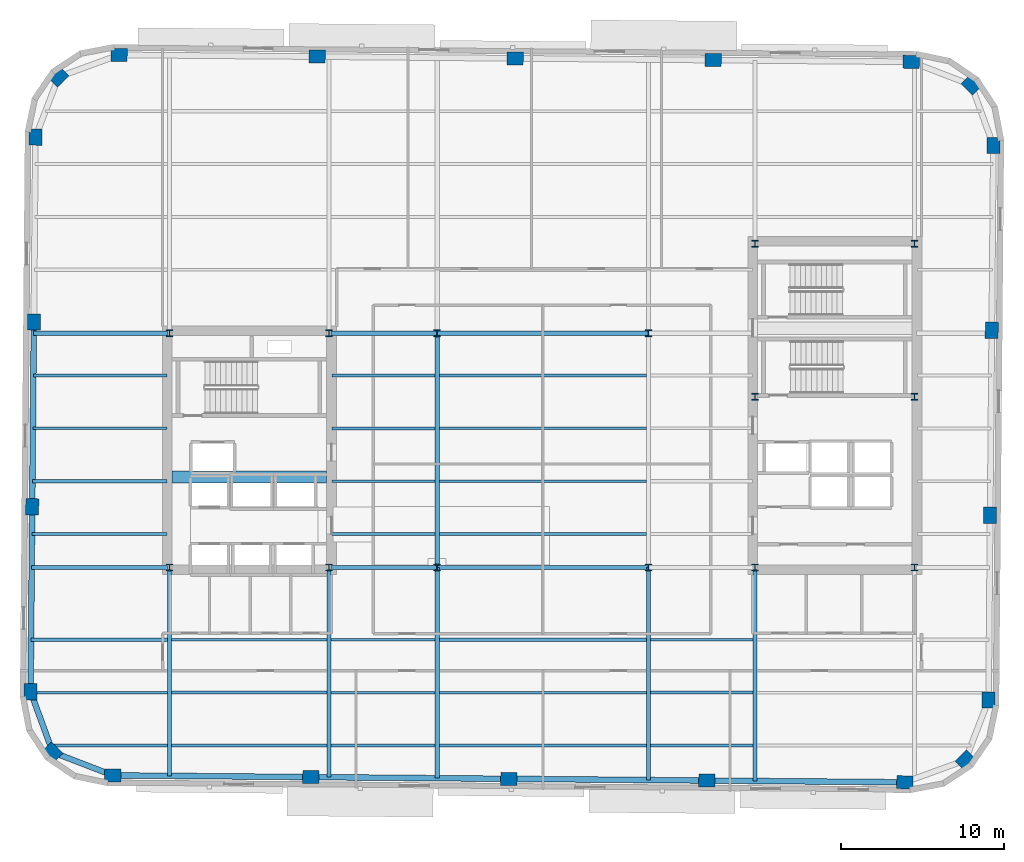
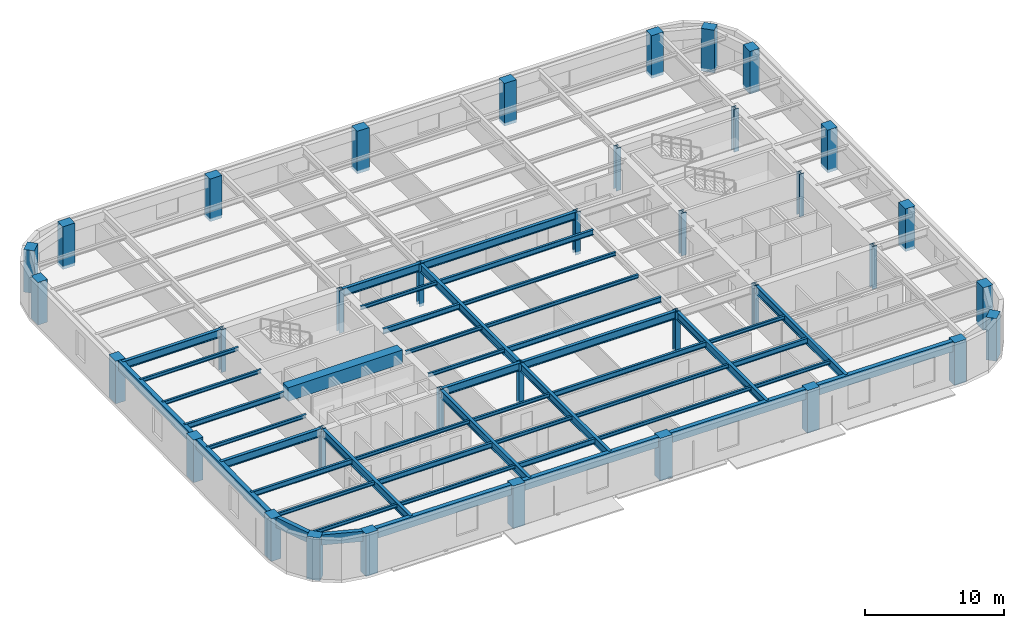
# One storey, part 1 of 11: 48 beams, 36 columns.
"""IFC4 building model written with IfcOpenShell, lengths in metres."""

from ifc_helpers import new_model, si_unit, direction, frame, origin, origin_2d, place, context, subcontext, project, spatial, rectangle, hollow_rectangle, i_section, extrude, material, material_profile, profile_set, type_object, element, save


model = new_model("IFC4")

# Units and contexts
model_context = context("Model", 3, precision=1e-05, world=origin(), true_north=direction((0.0, 1.0)))
body_context = subcontext(model_context, "Body", "Model", "MODEL_VIEW")
ifc_project = project(units=[si_unit("LENGTHUNIT", "METRE"), si_unit("AREAUNIT", "SQUARE_METRE"), si_unit("VOLUMEUNIT", "CUBIC_METRE"), si_unit("PLANEANGLEUNIT", "RADIAN"), si_unit("MASSUNIT", "GRAM", prefix="KILO")], contexts=[model_context])

# Site, building, storey
site_placement = place(None, origin())
site = spatial("IfcSite", under=ifc_project, at=site_placement, CompositionType="ELEMENT")
building_placement = place(site_placement, origin())
building = spatial("IfcBuilding", under=site, at=building_placement, Name="Kolvaren Arena Tower", CompositionType="ELEMENT")
storey_placement = place(building_placement, frame((0.0, 0.0, 203.449951171875)))
storey = spatial("IfcBuildingStorey", under=building, at=storey_placement, Name="L49", CompositionType="ELEMENT", Elevation=203.449951171875)

# Columns
ifc_material_1 = material(Name="Precast concrete C60/75", Category="concrete")
ifc_material_profile_1 = material_profile(ifc_material_1, rectangle(XDim=1.0, YDim=0.800048828125, at=origin_2d()), Name="RC-1000x800")
ifc_profile_set_1 = profile_set([ifc_material_profile_1], Name="Precast concrete C60/75")
column_type_1 = type_object("IfcColumnType", Name="EXCOL-Z3", PredefinedType="COLUMN", material=ifc_profile_set_1)
for number, where, z_axis, x_axis, name in (
    (1, (11.0576171875, 6.663330078125, -0.27001953125), (0.0, 0.0, 1.0), (0.999961923064, -0.008726535498, 0.0), "Exoskeleton Perimeter Column 01 (L49)"),
    (2, (23.232177734375, 6.55712890625, -0.27001953125), (0.0, 0.0, 1.0), (0.999961923064, -0.008726535498, 0.0), "Exoskeleton Perimeter Column 02 (L49)"),
    (3, (35.40673828125, 6.45068359375, -0.27001953125), (0.0, 0.0, 1.0), (0.999961923064, -0.008726535498, 0.0), "Exoskeleton Perimeter Column 03 (L49)"),
    (4, (47.581298828125, 6.344482421875, -0.27001953125), (0.0, 0.0, 1.0), (0.999961923064, -0.008726535498, 0.0), "Exoskeleton Perimeter Column 04 (L49)"),
    (5, (59.755859375, 6.23828125, -0.27001953125), (0.0, 0.0, 1.0), (0.999961923064, -0.008726535498, 0.0), "Exoskeleton Perimeter Column 05 (L49)"),
    (6, (63.4765625, 7.59716796875, -0.27001953125), (0.0, 0.0, 1.0), (0.713250449154, 0.7009092643, 0.0), "Exoskeleton Perimeter Column 06 (L49)"),
    (7, (64.900146484375, 11.293701171875, -0.27001953125), (0.0, 0.0, 1.0), (0.008726535498, 0.999961923064, 0.0), "Exoskeleton Perimeter Column 07 (L49)"),
    (8, (64.999267578125, 22.659912109375, -0.27001953125), (0.0, 0.0, 1.0), (0.008726535498, 0.999961923064, 0.0), "Exoskeleton Perimeter Column 08 (L49)"),
    (9, (65.098388671875, 34.026123046875, -0.27001953125), (0.0, 0.0, 1.0), (0.008726535498, 0.999961923064, 0.0), "Exoskeleton Perimeter Column 09 (L49)"),
    (10, (65.19775390625, 45.392333984375, -0.27001953125), (0.0, 0.0, 1.0), (0.008726535498, 0.999961923064, 0.0), "Exoskeleton Perimeter Column 10 (L49)"),
    (11, (63.8388671875, 49.113037109375, -0.27001953125), (0.0, 0.0, 1.0), (-0.7009092643, 0.713250449154, 0.0), "Exoskeleton Perimeter Column 11 (L49)"),
    (12, (60.142333984375, 50.53662109375, -0.27001953125), (0.0, 0.0, 1.0), (0.999961923064, -0.008726535498, 0.0), "Exoskeleton Perimeter Column 12 (L49)"),
    (13, (47.9677734375, 50.642822265625, -0.27001953125), (0.0, 0.0, 1.0), (0.999961923064, -0.008726535498, 0.0), "Exoskeleton Perimeter Column 13 (L49)"),
    (14, (35.793212890625, 50.749267578125, -0.27001953125), (0.0, 0.0, 1.0), (0.999961923064, -0.008726535498, 0.0), "Exoskeleton Perimeter Column 14 (L49)"),
    (15, (23.618896484375, 50.85546875, -0.27001953125), (0.0, 0.0, 1.0), (0.999961923064, -0.008726535498, 0.0), "Exoskeleton Perimeter Column 15 (L49)"),
    (16, (11.444091796875, 50.961669921875, -0.27001953125), (0.0, 0.0, 1.0), (0.999961923064, -0.008726535498, 0.0), "Exoskeleton Perimeter Column 16 (L49)"),
    (17, (7.723388671875, 49.602783203125, -0.27001953125), (0.0, 0.0, 1.0), (0.713250449154, 0.7009092643, 0.0), "Exoskeleton Perimeter Column 17 (L49)"),
    (18, (6.2998046875, 45.90625, -0.27001953125), (0.0, 0.0, 1.0), (0.008726535498, 0.999961923064, 0.0), "Exoskeleton Perimeter Column 18 (L49)"),
    (19, (6.20068359375, 34.5400390625, -0.27001953125), (0.0, 0.0, 1.0), (0.008726535498, 0.999961923064, 0.0), "Exoskeleton Perimeter Column 19 (L49)"),
    (20, (6.1015625, 23.173828125, -0.27001953125), (0.0, 0.0, 1.0), (0.008726535498, 0.999961923064, 0.0), "Exoskeleton Perimeter Column 20 (L49)"),
    (21, (6.002197265625, 11.8076171875, -0.27001953125), (0.0, 0.0, 1.0), (0.008726535498, 0.999961923064, 0.0), "Exoskeleton Perimeter Column 21 (L49)"),
    (22, (7.361083984375, 8.0869140625, -0.27001953125), (0.0, 0.0, 1.0), (-0.7009092643, 0.713250449154, 0.0), "Exoskeleton Perimeter Column 22 (L49)"),
):
    element("IfcColumn", number, at=place(storey_placement, frame(where, z_axis=z_axis, x_axis=x_axis)), inside=storey, type_object=column_type_1, Name=name, PredefinedType="COLUMN", context=body_context, shape_type="SweptSolid", body=[
        extrude(rectangle(XDim=1.0, YDim=0.800048828125, at=origin_2d()), origin(), (0.0, 0.0, 1.0), 3.75),
    ])
ifc_material_2 = material(Name="Steel ASTM A913 Grade 65", Category="steel")
ifc_material_profile_2 = material_profile(ifc_material_2, i_section(OverallWidth=0.406005859375, OverallDepth=0.416015625, WebThickness=0.02978515625, FlangeThickness=0.048095703125, FilletRadius=0.02001953125, at=origin_2d()), Name="W360x382")
ifc_profile_set_2 = profile_set([ifc_material_profile_2], Name="Steel ASTM A913 Grade 65")
column_type_2 = type_object("IfcColumnType", Name="SCOL-Z3", PredefinedType="COLUMN", material=ifc_profile_set_2)
for number, where, z_axis, x_axis, name in (
    (23, (14.550048828125, 19.449951171875, -0.27001953125), (0.0, 0.0, 1.0), (1.0, 0.0, 0.0), "Core Boundary Column WC-SW (L49)"),
    (24, (24.35009765625, 19.449951171875, -0.27001953125), (0.0, 0.0, 1.0), (1.0, 0.0, 0.0), "Core Boundary Column WC-SE (L49)"),
    (25, (14.550048828125, 33.85009765625, -0.27001953125), (0.0, 0.0, 1.0), (1.0, 0.0, 0.0), "Core Boundary Column WC-NW (L49)"),
    (26, (24.35009765625, 33.85009765625, -0.27001953125), (0.0, 0.0, 1.0), (1.0, 0.0, 0.0), "Core Boundary Column WC-NE (L49)"),
    (27, (50.550048828125, 19.449951171875, -0.27001953125), (0.0, 0.0, 1.0), (1.0, 0.0, 0.0), "Core Boundary Column EC-SW (L49)"),
    (28, (60.35009765625, 19.449951171875, -0.27001953125), (0.0, 0.0, 1.0), (1.0, 0.0, 0.0), "Core Boundary Column EC-SE (L49)"),
    (29, (50.550048828125, 29.949951171875, -0.27001953125), (0.0, 0.0, 1.0), (1.0, 0.0, 0.0), "Core Boundary Column EC-MW (L49)"),
    (30, (60.35009765625, 29.949951171875, -0.27001953125), (0.0, 0.0, 1.0), (1.0, 0.0, 0.0), "Core Boundary Column EC-ME (L49)"),
    (31, (50.550048828125, 39.35009765625, -0.27001953125), (0.0, 0.0, 1.0), (1.0, 0.0, 0.0), "Core Boundary Column EC-NW (L49)"),
    (32, (60.35009765625, 39.35009765625, -0.27001953125), (0.0, 0.0, 1.0), (1.0, 0.0, 0.0), "Core Boundary Column EC-NE (L49)"),
    (33, (31.0, 19.449951171875, -0.27001953125), (0.0, 0.0, 1.0), (1.0, 0.0, 0.0), "Interior Gravity Column TC-SW (L49)"),
    (34, (44.0, 19.449951171875, -0.27001953125), (0.0, 0.0, 1.0), (1.0, 0.0, 0.0), "Interior Gravity Column TC-SE (L49)"),
    (35, (31.0, 33.85009765625, -0.27001953125), (0.0, 0.0, 1.0), (1.0, 0.0, 0.0), "Interior Gravity Column TC-NW (L49)"),
    (36, (44.0, 33.85009765625, -0.27001953125), (0.0, 0.0, 1.0), (1.0, 0.0, 0.0), "Interior Gravity Column TC-NE (L49)"),
):
    element("IfcColumn", number, at=place(storey_placement, frame(where, z_axis=z_axis, x_axis=x_axis)), inside=storey, type_object=column_type_2, Name=name, PredefinedType="COLUMN", context=body_context, shape_type="SweptSolid", body=[
        extrude(i_section(OverallWidth=0.406005859375, OverallDepth=0.416015625, WebThickness=0.02978515625, FlangeThickness=0.048095703125, FilletRadius=0.02001953125, at=origin_2d()), origin(), (0.0, 0.0, 1.0), 3.75),
    ])

# Beams
ifc_material_3 = material(Name="Steel CSA G40.21 350W", Category="steel")
ifc_material_profile_3 = material_profile(ifc_material_3, i_section(OverallWidth=0.193115234375, OverallDepth=0.462890625, WebThickness=0.0107421875, FlangeThickness=0.0205078125, FilletRadius=0.012939453125, at=origin_2d()), Name="W460x113")
ifc_profile_set_3 = profile_set([ifc_material_profile_3], Name="Steel CSA G40.21 350W")
beam_type_1 = type_object("IfcBeamType", Name="BEAM-F2", PredefinedType="BEAM", material=ifc_profile_set_3)
beam_1_placement = place(storey_placement, frame((24.4775390625, 8.5, 3.24853515625), z_axis=(1.0, 0.0, 0.0), x_axis=(0.0, 1.0, 0.0)))
element("IfcBeam", 37, at=beam_1_placement, inside=storey, type_object=beam_type_1, Name="Composite Floor Beam (L49)", PredefinedType="BEAM", context=body_context, shape_type="SweptSolid", body=[
    extrude(i_section(OverallWidth=0.193115234375, OverallDepth=0.462890625, WebThickness=0.0107421875, FlangeThickness=0.0205078125, FilletRadius=0.012939453125, at=origin_2d()), origin(), (0.0, 0.0, 1.0), 6.39501953125),
])
beam_2_placement = place(storey_placement, frame((14.677490234375, 11.75, 3.24853515625), z_axis=(1.0, 0.0, 0.0), x_axis=(0.0, 1.0, 0.0)))
element("IfcBeam", 38, at=beam_2_placement, inside=storey, type_object=beam_type_1, Name="Composite Floor Beam (L49)", PredefinedType="BEAM", context=body_context, shape_type="SweptSolid", body=[
    extrude(i_section(OverallWidth=0.193115234375, OverallDepth=0.462890625, WebThickness=0.0107421875, FlangeThickness=0.0205078125, FilletRadius=0.012939453125, at=origin_2d()), origin(), (0.0, 0.0, 1.0), 9.544921875),
])
beam_3_placement = place(storey_placement, frame((44.12744140625, 11.75, 3.24853515625), z_axis=(1.0, 0.0, 0.0), x_axis=(0.0, 1.0, 0.0)))
element("IfcBeam", 39, at=beam_3_placement, inside=storey, type_object=beam_type_1, Name="Composite Floor Beam (L49)", PredefinedType="BEAM", context=body_context, shape_type="SweptSolid", body=[
    extrude(i_section(OverallWidth=0.193115234375, OverallDepth=0.462890625, WebThickness=0.0107421875, FlangeThickness=0.0205078125, FilletRadius=0.012939453125, at=origin_2d()), origin(), (0.0, 0.0, 1.0), 6.295166015625),
])
beam_4_placement = place(storey_placement, frame((6.0302734375, 15.0, 3.24853515625), z_axis=(1.0, 0.0, 0.0), x_axis=(0.0, 1.0, 0.0)))
element("IfcBeam", 40, at=beam_4_placement, inside=storey, type_object=beam_type_1, Name="Composite Floor Beam (L49)", PredefinedType="BEAM", context=body_context, shape_type="SweptSolid", body=[
    extrude(i_section(OverallWidth=0.193115234375, OverallDepth=0.462890625, WebThickness=0.0107421875, FlangeThickness=0.0205078125, FilletRadius=0.012939453125, at=origin_2d()), origin(), (0.0, 0.0, 1.0), 8.392333984375),
])
for number, where, z_axis, x_axis, name in (
    (41, (31.12744140625, 15.0, 3.24853515625), (1.0, 0.0, 0.0), (0.0, 1.0, 0.0), "Composite Floor Beam (L49)"),
    (42, (31.12744140625, 21.5, 3.24853515625), (1.0, 0.0, 0.0), (0.0, 1.0, 0.0), "Composite Floor Beam (L49)"),
):
    element("IfcBeam", number, at=place(storey_placement, frame(where, z_axis=z_axis, x_axis=x_axis)), inside=storey, type_object=beam_type_1, Name=name, PredefinedType="BEAM", context=body_context, shape_type="SweptSolid", body=[
        extrude(i_section(OverallWidth=0.193115234375, OverallDepth=0.462890625, WebThickness=0.0107421875, FlangeThickness=0.0205078125, FilletRadius=0.012939453125, at=origin_2d()), origin(), (0.0, 0.0, 1.0), 12.7451171875),
    ])
beam_5_placement = place(storey_placement, frame((6.115234375, 24.75, 3.24853515625), z_axis=(1.0, 0.0, 0.0), x_axis=(0.0, 1.0, 0.0)))
element("IfcBeam", 43, at=beam_5_placement, inside=storey, type_object=beam_type_1, Name="Composite Floor Beam (L49)", PredefinedType="BEAM", context=body_context, shape_type="SweptSolid", body=[
    extrude(i_section(OverallWidth=0.193115234375, OverallDepth=0.462890625, WebThickness=0.0107421875, FlangeThickness=0.0205078125, FilletRadius=0.012939453125, at=origin_2d()), origin(), (0.0, 0.0, 1.0), 8.2646484375),
])
beam_6_placement = place(storey_placement, frame((24.52001953125, 28.0, 3.24853515625), z_axis=(1.0, 0.0, 0.0), x_axis=(0.0, 1.0, 0.0)))
element("IfcBeam", 44, at=beam_6_placement, inside=storey, type_object=beam_type_1, Name="Composite Floor Beam (L49)", PredefinedType="BEAM", context=body_context, shape_type="SweptSolid", body=[
    extrude(i_section(OverallWidth=0.193115234375, OverallDepth=0.462890625, WebThickness=0.0107421875, FlangeThickness=0.0205078125, FilletRadius=0.012939453125, at=origin_2d()), origin(), (0.0, 0.0, 1.0), 6.3525390625),
])
beam_7_placement = place(storey_placement, frame((31.12744140625, 31.25, 3.24853515625), z_axis=(1.0, 0.0, 0.0), x_axis=(0.0, 1.0, 0.0)))
element("IfcBeam", 45, at=beam_7_placement, inside=storey, type_object=beam_type_1, Name="Composite Floor Beam (L49)", PredefinedType="BEAM", context=body_context, shape_type="SweptSolid", body=[
    extrude(i_section(OverallWidth=0.193115234375, OverallDepth=0.462890625, WebThickness=0.0107421875, FlangeThickness=0.0205078125, FilletRadius=0.012939453125, at=origin_2d()), origin(), (0.0, 0.0, 1.0), 12.7451171875),
])
ifc_material_4 = material(Name="Concrete 60 MPa", Category="concrete")
ifc_material_profile_4 = material_profile(ifc_material_4, rectangle(XDim=0.75, YDim=1.199951171875, at=origin_2d()), Name="RC-750x1200")
ifc_profile_set_4 = profile_set([ifc_material_profile_4], Name="Concrete 60 MPa")
beam_type_2 = type_object("IfcBeamType", Name="CB-CORE-2", PredefinedType="BEAM", material=ifc_profile_set_4)
beam_8_placement = place(storey_placement, frame((14.699951171875, 25.0, 3.150146484375), z_axis=(1.0, 0.0, 0.0), x_axis=(0.0, 1.0, 0.0)))
element("IfcBeam", 46, at=beam_8_placement, inside=storey, type_object=beam_type_2, Name="West Core Coupling Beam (L49)", PredefinedType="BEAM", context=body_context, shape_type="SweptSolid", body=[
    extrude(rectangle(XDim=0.75, YDim=1.199951171875, at=origin_2d()), origin(), (0.0, 0.0, 1.0), 9.5),
])
ifc_material_profile_5 = material_profile(ifc_material_3, i_section(OverallWidth=0.2548828125, OverallDepth=0.695068359375, WebThickness=0.01708984375, FlangeThickness=0.02978515625, FilletRadius=0.01611328125, at=origin_2d()), Name="W690x217")
ifc_profile_set_5 = profile_set([ifc_material_profile_5], Name="Steel CSA G40.21 350W")
beam_type_3 = type_object("IfcBeamType", Name="GIRD-T2", PredefinedType="BEAM", material=ifc_profile_set_5)
beam_9_placement = place(storey_placement, frame((6.069091796875, 19.449951171875, 3.132568359375), z_axis=(1.0, 0.0, 0.0), x_axis=(0.0, 1.0, 0.0)))
element("IfcBeam", 47, at=beam_9_placement, inside=storey, type_object=beam_type_3, Name="Primary Floor Girder (L49)", PredefinedType="BEAM", context=body_context, shape_type="SweptSolid", body=[
    extrude(i_section(OverallWidth=0.2548828125, OverallDepth=0.695068359375, WebThickness=0.01708984375, FlangeThickness=0.02978515625, FilletRadius=0.01611328125, at=origin_2d()), origin(), (0.0, 0.0, 1.0), 8.350830078125),
])
beam_10_placement = place(storey_placement, frame((24.47998046875, 19.449951171875, 3.132568359375), z_axis=(1.0, 0.0, 0.0), x_axis=(0.0, 1.0, 0.0)))
element("IfcBeam", 48, at=beam_10_placement, inside=storey, type_object=beam_type_3, Name="Primary Floor Girder (L49)", PredefinedType="BEAM", context=body_context, shape_type="SweptSolid", body=[
    extrude(i_section(OverallWidth=0.2548828125, OverallDepth=0.695068359375, WebThickness=0.01708984375, FlangeThickness=0.02978515625, FilletRadius=0.01611328125, at=origin_2d()), origin(), (0.0, 0.0, 1.0), 6.52001953125),
])
beam_11_placement = place(storey_placement, frame((31.0, 19.449951171875, 3.132568359375), z_axis=(1.0, 0.0, 0.0), x_axis=(0.0, 1.0, 0.0)))
element("IfcBeam", 49, at=beam_11_placement, inside=storey, type_object=beam_type_3, Name="Primary Floor Girder (L49)", PredefinedType="BEAM", context=body_context, shape_type="SweptSolid", body=[
    extrude(i_section(OverallWidth=0.2548828125, OverallDepth=0.695068359375, WebThickness=0.01708984375, FlangeThickness=0.02978515625, FilletRadius=0.01611328125, at=origin_2d()), origin(), (0.0, 0.0, 1.0), 13.0),
])
beam_12_placement = place(storey_placement, frame((6.194580078125, 33.85009765625, 3.132568359375), z_axis=(1.0, 0.0, 0.0), x_axis=(0.0, 1.0, 0.0)))
element("IfcBeam", 50, at=beam_12_placement, inside=storey, type_object=beam_type_3, Name="Primary Floor Girder (L49)", PredefinedType="BEAM", context=body_context, shape_type="SweptSolid", body=[
    extrude(i_section(OverallWidth=0.2548828125, OverallDepth=0.695068359375, WebThickness=0.01708984375, FlangeThickness=0.02978515625, FilletRadius=0.01611328125, at=origin_2d()), origin(), (0.0, 0.0, 1.0), 8.225341796875),
])
beam_13_placement = place(storey_placement, frame((24.47998046875, 33.85009765625, 3.132568359375), z_axis=(1.0, 0.0, 0.0), x_axis=(0.0, 1.0, 0.0)))
element("IfcBeam", 51, at=beam_13_placement, inside=storey, type_object=beam_type_3, Name="Primary Floor Girder (L49)", PredefinedType="BEAM", context=body_context, shape_type="SweptSolid", body=[
    extrude(i_section(OverallWidth=0.2548828125, OverallDepth=0.695068359375, WebThickness=0.01708984375, FlangeThickness=0.02978515625, FilletRadius=0.01611328125, at=origin_2d()), origin(), (0.0, 0.0, 1.0), 6.52001953125),
])
beam_14_placement = place(storey_placement, frame((31.0, 33.85009765625, 3.132568359375), z_axis=(1.0, 0.0, 0.0), x_axis=(0.0, 1.0, 0.0)))
element("IfcBeam", 52, at=beam_14_placement, inside=storey, type_object=beam_type_3, Name="Primary Floor Girder (L49)", PredefinedType="BEAM", context=body_context, shape_type="SweptSolid", body=[
    extrude(i_section(OverallWidth=0.2548828125, OverallDepth=0.695068359375, WebThickness=0.01708984375, FlangeThickness=0.02978515625, FilletRadius=0.01611328125, at=origin_2d()), origin(), (0.0, 0.0, 1.0), 13.0),
])
beam_15_placement = place(storey_placement, frame((14.550048828125, 6.6328125, 3.132568359375), z_axis=(0.0, 1.0, 0.0), x_axis=(-1.0, 0.0, 0.0)))
element("IfcBeam", 53, at=beam_15_placement, inside=storey, type_object=beam_type_3, Name="Primary Floor Girder (L49)", PredefinedType="BEAM", context=body_context, shape_type="SweptSolid", body=[
    extrude(i_section(OverallWidth=0.2548828125, OverallDepth=0.695068359375, WebThickness=0.01708984375, FlangeThickness=0.02978515625, FilletRadius=0.01611328125, at=origin_2d()), origin(), (0.0, 0.0, 1.0), 12.687255859375),
])
beam_16_placement = place(storey_placement, frame((24.35009765625, 6.54736328125, 3.132568359375), z_axis=(0.0, 1.0, 0.0), x_axis=(-1.0, 0.0, 0.0)))
element("IfcBeam", 54, at=beam_16_placement, inside=storey, type_object=beam_type_3, Name="Primary Floor Girder (L49)", PredefinedType="BEAM", context=body_context, shape_type="SweptSolid", body=[
    extrude(i_section(OverallWidth=0.2548828125, OverallDepth=0.695068359375, WebThickness=0.01708984375, FlangeThickness=0.02978515625, FilletRadius=0.01611328125, at=origin_2d()), origin(), (0.0, 0.0, 1.0), 12.772705078125),
])
beam_17_placement = place(storey_placement, frame((31.0, 6.4892578125, 3.132568359375), z_axis=(0.0, 1.0, 0.0), x_axis=(-1.0, 0.0, 0.0)))
element("IfcBeam", 55, at=beam_17_placement, inside=storey, type_object=beam_type_3, Name="Primary Floor Girder (L49)", PredefinedType="BEAM", context=body_context, shape_type="SweptSolid", body=[
    extrude(i_section(OverallWidth=0.2548828125, OverallDepth=0.695068359375, WebThickness=0.01708984375, FlangeThickness=0.02978515625, FilletRadius=0.01611328125, at=origin_2d()), origin(), (0.0, 0.0, 1.0), 12.960693359375),
])
beam_18_placement = place(storey_placement, frame((31.0, 19.449951171875, 3.132568359375), z_axis=(0.0, 1.0, 0.0), x_axis=(-1.0, 0.0, 0.0)))
element("IfcBeam", 56, at=beam_18_placement, inside=storey, type_object=beam_type_3, Name="Primary Floor Girder (L49)", PredefinedType="BEAM", context=body_context, shape_type="SweptSolid", body=[
    extrude(i_section(OverallWidth=0.2548828125, OverallDepth=0.695068359375, WebThickness=0.01708984375, FlangeThickness=0.02978515625, FilletRadius=0.01611328125, at=origin_2d()), origin(), (0.0, 0.0, 1.0), 14.400146484375),
])
beam_19_placement = place(storey_placement, frame((44.0, 6.375732421875, 3.132568359375), z_axis=(0.0, 1.0, 0.0), x_axis=(-1.0, 0.0, 0.0)))
element("IfcBeam", 57, at=beam_19_placement, inside=storey, type_object=beam_type_3, Name="Primary Floor Girder (L49)", PredefinedType="BEAM", context=body_context, shape_type="SweptSolid", body=[
    extrude(i_section(OverallWidth=0.2548828125, OverallDepth=0.695068359375, WebThickness=0.01708984375, FlangeThickness=0.02978515625, FilletRadius=0.01611328125, at=origin_2d()), origin(), (0.0, 0.0, 1.0), 13.07421875),
])
beam_20_placement = place(storey_placement, frame((50.550048828125, 6.318603515625, 3.132568359375), z_axis=(0.0, 1.0, 0.0), x_axis=(-1.0, 0.0, 0.0)))
element("IfcBeam", 58, at=beam_20_placement, inside=storey, type_object=beam_type_3, Name="Primary Floor Girder (L49)", PredefinedType="BEAM", context=body_context, shape_type="SweptSolid", body=[
    extrude(i_section(OverallWidth=0.2548828125, OverallDepth=0.695068359375, WebThickness=0.01708984375, FlangeThickness=0.02978515625, FilletRadius=0.01611328125, at=origin_2d()), origin(), (0.0, 0.0, 1.0), 13.00146484375),
])
ifc_material_profile_6 = material_profile(ifc_material_3, i_section(OverallWidth=0.1669921875, OverallDepth=0.31689453125, WebThickness=0.007568359375, FlangeThickness=0.01318359375, FilletRadius=0.010009765625, at=origin_2d()), Name="W310x52")
ifc_profile_set_6 = profile_set([ifc_material_profile_6], Name="Steel CSA G40.21 350W")
beam_type_4 = type_object("IfcBeamType", Name="JOIST-02", PredefinedType="JOIST", material=ifc_profile_set_6)
beam_21_placement = place(storey_placement, frame((7.210205078125, 8.5, 3.321533203125), z_axis=(1.0, 0.0, 0.0), x_axis=(0.0, 1.0, 0.0)))
element("IfcBeam", 59, at=beam_21_placement, inside=storey, type_object=beam_type_4, Name="Composite Floor Joist (L49)", PredefinedType="JOIST", context=body_context, shape_type="SweptSolid", body=[
    extrude(i_section(OverallWidth=0.1669921875, OverallDepth=0.31689453125, WebThickness=0.007568359375, FlangeThickness=0.01318359375, FilletRadius=0.010009765625, at=origin_2d()), origin(), (0.0, 0.0, 1.0), 7.21240234375),
])
beam_22_placement = place(storey_placement, frame((14.677490234375, 8.5, 3.321533203125), z_axis=(1.0, 0.0, 0.0), x_axis=(0.0, 1.0, 0.0)))
element("IfcBeam", 60, at=beam_22_placement, inside=storey, type_object=beam_type_4, Name="Composite Floor Joist (L49)", PredefinedType="JOIST", context=body_context, shape_type="SweptSolid", body=[
    extrude(i_section(OverallWidth=0.1669921875, OverallDepth=0.31689453125, WebThickness=0.007568359375, FlangeThickness=0.01318359375, FilletRadius=0.010009765625, at=origin_2d()), origin(), (0.0, 0.0, 1.0), 9.544921875),
])
beam_23_placement = place(storey_placement, frame((31.12744140625, 8.5, 3.321533203125), z_axis=(1.0, 0.0, 0.0), x_axis=(0.0, 1.0, 0.0)))
element("IfcBeam", 61, at=beam_23_placement, inside=storey, type_object=beam_type_4, Name="Composite Floor Joist (L49)", PredefinedType="JOIST", context=body_context, shape_type="SweptSolid", body=[
    extrude(i_section(OverallWidth=0.1669921875, OverallDepth=0.31689453125, WebThickness=0.007568359375, FlangeThickness=0.01318359375, FilletRadius=0.010009765625, at=origin_2d()), origin(), (0.0, 0.0, 1.0), 12.7451171875),
])
beam_24_placement = place(storey_placement, frame((44.12744140625, 8.5, 3.321533203125), z_axis=(1.0, 0.0, 0.0), x_axis=(0.0, 1.0, 0.0)))
element("IfcBeam", 62, at=beam_24_placement, inside=storey, type_object=beam_type_4, Name="Composite Floor Joist (L49)", PredefinedType="JOIST", context=body_context, shape_type="SweptSolid", body=[
    extrude(i_section(OverallWidth=0.1669921875, OverallDepth=0.31689453125, WebThickness=0.007568359375, FlangeThickness=0.01318359375, FilletRadius=0.010009765625, at=origin_2d()), origin(), (0.0, 0.0, 1.0), 6.295166015625),
])
beam_25_placement = place(storey_placement, frame((6.023193359375, 11.75, 3.321533203125), z_axis=(1.0, 0.0, 0.0), x_axis=(0.0, 1.0, 0.0)))
element("IfcBeam", 63, at=beam_25_placement, inside=storey, type_object=beam_type_4, Name="Composite Floor Joist (L49)", PredefinedType="JOIST", context=body_context, shape_type="SweptSolid", body=[
    extrude(i_section(OverallWidth=0.1669921875, OverallDepth=0.31689453125, WebThickness=0.007568359375, FlangeThickness=0.01318359375, FilletRadius=0.010009765625, at=origin_2d()), origin(), (0.0, 0.0, 1.0), 8.3994140625),
])
beam_26_placement = place(storey_placement, frame((24.4775390625, 11.75, 3.321533203125), z_axis=(1.0, 0.0, 0.0), x_axis=(0.0, 1.0, 0.0)))
element("IfcBeam", 64, at=beam_26_placement, inside=storey, type_object=beam_type_4, Name="Composite Floor Joist (L49)", PredefinedType="JOIST", context=body_context, shape_type="SweptSolid", body=[
    extrude(i_section(OverallWidth=0.1669921875, OverallDepth=0.31689453125, WebThickness=0.007568359375, FlangeThickness=0.01318359375, FilletRadius=0.010009765625, at=origin_2d()), origin(), (0.0, 0.0, 1.0), 6.39501953125),
])
beam_27_placement = place(storey_placement, frame((31.12744140625, 11.75, 3.321533203125), z_axis=(1.0, 0.0, 0.0), x_axis=(0.0, 1.0, 0.0)))
element("IfcBeam", 65, at=beam_27_placement, inside=storey, type_object=beam_type_4, Name="Composite Floor Joist (L49)", PredefinedType="JOIST", context=body_context, shape_type="SweptSolid", body=[
    extrude(i_section(OverallWidth=0.1669921875, OverallDepth=0.31689453125, WebThickness=0.007568359375, FlangeThickness=0.01318359375, FilletRadius=0.010009765625, at=origin_2d()), origin(), (0.0, 0.0, 1.0), 12.7451171875),
])
beam_28_placement = place(storey_placement, frame((14.677490234375, 15.0, 3.321533203125), z_axis=(1.0, 0.0, 0.0), x_axis=(0.0, 1.0, 0.0)))
element("IfcBeam", 66, at=beam_28_placement, inside=storey, type_object=beam_type_4, Name="Composite Floor Joist (L49)", PredefinedType="JOIST", context=body_context, shape_type="SweptSolid", body=[
    extrude(i_section(OverallWidth=0.1669921875, OverallDepth=0.31689453125, WebThickness=0.007568359375, FlangeThickness=0.01318359375, FilletRadius=0.010009765625, at=origin_2d()), origin(), (0.0, 0.0, 1.0), 9.544921875),
])
beam_29_placement = place(storey_placement, frame((24.4775390625, 15.0, 3.321533203125), z_axis=(1.0, 0.0, 0.0), x_axis=(0.0, 1.0, 0.0)))
element("IfcBeam", 67, at=beam_29_placement, inside=storey, type_object=beam_type_4, Name="Composite Floor Joist (L49)", PredefinedType="JOIST", context=body_context, shape_type="SweptSolid", body=[
    extrude(i_section(OverallWidth=0.1669921875, OverallDepth=0.31689453125, WebThickness=0.007568359375, FlangeThickness=0.01318359375, FilletRadius=0.010009765625, at=origin_2d()), origin(), (0.0, 0.0, 1.0), 6.39501953125),
])
beam_30_placement = place(storey_placement, frame((44.12744140625, 15.0, 3.321533203125), z_axis=(1.0, 0.0, 0.0), x_axis=(0.0, 1.0, 0.0)))
element("IfcBeam", 68, at=beam_30_placement, inside=storey, type_object=beam_type_4, Name="Composite Floor Joist (L49)", PredefinedType="JOIST", context=body_context, shape_type="SweptSolid", body=[
    extrude(i_section(OverallWidth=0.1669921875, OverallDepth=0.31689453125, WebThickness=0.007568359375, FlangeThickness=0.01318359375, FilletRadius=0.010009765625, at=origin_2d()), origin(), (0.0, 0.0, 1.0), 6.295166015625),
])
beam_31_placement = place(storey_placement, frame((6.0869140625, 21.5, 3.321533203125), z_axis=(1.0, 0.0, 0.0), x_axis=(0.0, 1.0, 0.0)))
element("IfcBeam", 69, at=beam_31_placement, inside=storey, type_object=beam_type_4, Name="Composite Floor Joist (L49)", PredefinedType="JOIST", context=body_context, shape_type="SweptSolid", body=[
    extrude(i_section(OverallWidth=0.1669921875, OverallDepth=0.31689453125, WebThickness=0.007568359375, FlangeThickness=0.01318359375, FilletRadius=0.010009765625, at=origin_2d()), origin(), (0.0, 0.0, 1.0), 8.29296875),
])
for number, where, z_axis, x_axis, name in (
    (70, (24.52001953125, 21.5, 3.321533203125), (1.0, 0.0, 0.0), (0.0, 1.0, 0.0), "Composite Floor Joist (L49)"),
    (71, (24.52001953125, 24.75, 3.321533203125), (1.0, 0.0, 0.0), (0.0, 1.0, 0.0), "Composite Floor Joist (L49)"),
):
    element("IfcBeam", number, at=place(storey_placement, frame(where, z_axis=z_axis, x_axis=x_axis)), inside=storey, type_object=beam_type_4, Name=name, PredefinedType="JOIST", context=body_context, shape_type="SweptSolid", body=[
        extrude(i_section(OverallWidth=0.1669921875, OverallDepth=0.31689453125, WebThickness=0.007568359375, FlangeThickness=0.01318359375, FilletRadius=0.010009765625, at=origin_2d()), origin(), (0.0, 0.0, 1.0), 6.3525390625),
    ])
beam_32_placement = place(storey_placement, frame((31.12744140625, 24.75, 3.321533203125), z_axis=(1.0, 0.0, 0.0), x_axis=(0.0, 1.0, 0.0)))
element("IfcBeam", 72, at=beam_32_placement, inside=storey, type_object=beam_type_4, Name="Composite Floor Joist (L49)", PredefinedType="JOIST", context=body_context, shape_type="SweptSolid", body=[
    extrude(i_section(OverallWidth=0.1669921875, OverallDepth=0.31689453125, WebThickness=0.007568359375, FlangeThickness=0.01318359375, FilletRadius=0.010009765625, at=origin_2d()), origin(), (0.0, 0.0, 1.0), 12.7451171875),
])
beam_33_placement = place(storey_placement, frame((6.1435546875, 28.0, 3.321533203125), z_axis=(1.0, 0.0, 0.0), x_axis=(0.0, 1.0, 0.0)))
element("IfcBeam", 73, at=beam_33_placement, inside=storey, type_object=beam_type_4, Name="Composite Floor Joist (L49)", PredefinedType="JOIST", context=body_context, shape_type="SweptSolid", body=[
    extrude(i_section(OverallWidth=0.1669921875, OverallDepth=0.31689453125, WebThickness=0.007568359375, FlangeThickness=0.01318359375, FilletRadius=0.010009765625, at=origin_2d()), origin(), (0.0, 0.0, 1.0), 8.236328125),
])
beam_34_placement = place(storey_placement, frame((31.12744140625, 28.0, 3.321533203125), z_axis=(1.0, 0.0, 0.0), x_axis=(0.0, 1.0, 0.0)))
element("IfcBeam", 74, at=beam_34_placement, inside=storey, type_object=beam_type_4, Name="Composite Floor Joist (L49)", PredefinedType="JOIST", context=body_context, shape_type="SweptSolid", body=[
    extrude(i_section(OverallWidth=0.1669921875, OverallDepth=0.31689453125, WebThickness=0.007568359375, FlangeThickness=0.01318359375, FilletRadius=0.010009765625, at=origin_2d()), origin(), (0.0, 0.0, 1.0), 12.7451171875),
])
beam_35_placement = place(storey_placement, frame((6.172119140625, 31.25, 3.321533203125), z_axis=(1.0, 0.0, 0.0), x_axis=(0.0, 1.0, 0.0)))
element("IfcBeam", 75, at=beam_35_placement, inside=storey, type_object=beam_type_4, Name="Composite Floor Joist (L49)", PredefinedType="JOIST", context=body_context, shape_type="SweptSolid", body=[
    extrude(i_section(OverallWidth=0.1669921875, OverallDepth=0.31689453125, WebThickness=0.007568359375, FlangeThickness=0.01318359375, FilletRadius=0.010009765625, at=origin_2d()), origin(), (0.0, 0.0, 1.0), 8.207763671875),
])
beam_36_placement = place(storey_placement, frame((24.52001953125, 31.25, 3.321533203125), z_axis=(1.0, 0.0, 0.0), x_axis=(0.0, 1.0, 0.0)))
element("IfcBeam", 76, at=beam_36_placement, inside=storey, type_object=beam_type_4, Name="Composite Floor Joist (L49)", PredefinedType="JOIST", context=body_context, shape_type="SweptSolid", body=[
    extrude(i_section(OverallWidth=0.1669921875, OverallDepth=0.31689453125, WebThickness=0.007568359375, FlangeThickness=0.01318359375, FilletRadius=0.010009765625, at=origin_2d()), origin(), (0.0, 0.0, 1.0), 6.3525390625),
])
ifc_material_5 = material(Name="Steel CSA G40.21 350WT", Category="steel")
ifc_material_profile_7 = material_profile(ifc_material_5, hollow_rectangle(XDim=0.35009765625, YDim=0.89990234375, WallThickness=0.02001953125, at=origin_2d()), Name="HSS 900x350x20")
ifc_profile_set_7 = profile_set([ifc_material_profile_7], Name="Steel CSA G40.21 350WT")
beam_type_5 = type_object("IfcBeamType", Name="SPAND-01", PredefinedType="SPANDREL", material=ifc_profile_set_7)
for number, where, z_axis, x_axis, name in (
    (77, (11.0576171875, 6.663330078125, 3.030029296875), (0.99996195503, -0.008722871848, 0.0), (0.008722871848, 0.99996195503, 0.0), "Perimeter Spandrel Beam (L49)"),
    (78, (23.232177734375, 6.55712890625, 3.030029296875), (0.999961779919, -0.008742922896, 0.0), (0.008742922896, 0.999961779919, 0.0), "Perimeter Spandrel Beam (L49)"),
    (79, (35.40673828125, 6.45068359375, 3.030029296875), (0.99996195503, -0.008722871848, 0.0), (0.008722871848, 0.99996195503, 0.0), "Perimeter Spandrel Beam (L49)"),
    (80, (47.581298828125, 6.344482421875, 3.030029296875), (0.99996195503, -0.008722871848, 0.0), (0.008722871848, 0.99996195503, 0.0), "Perimeter Spandrel Beam (L49)"),
):
    element("IfcBeam", number, at=place(storey_placement, frame(where, z_axis=z_axis, x_axis=x_axis)), inside=storey, type_object=beam_type_5, Name=name, PredefinedType="SPANDREL", context=body_context, shape_type="SweptSolid", body=[
        extrude(hollow_rectangle(XDim=0.35009765625, YDim=0.89990234375, WallThickness=0.02001953125, at=origin_2d()), origin(), (0.0, 0.0, 1.0), 12.175048828125),
    ])
for number, where, z_axis, x_axis, name in (
    (81, (6.20068359375, 34.5400390625, 3.030029296875), (-0.008720348885, -0.999961977035, 0.0), (0.999961977035, -0.008720348885, 0.0), "Perimeter Spandrel Beam (L49)"),
    (82, (6.1015625, 23.173828125, 3.030029296875), (-0.008741825937, -0.99996178951, 0.0), (0.99996178951, -0.008741825937, 0.0), "Perimeter Spandrel Beam (L49)"),
):
    element("IfcBeam", number, at=place(storey_placement, frame(where, z_axis=z_axis, x_axis=x_axis)), inside=storey, type_object=beam_type_5, Name=name, PredefinedType="SPANDREL", context=body_context, shape_type="SweptSolid", body=[
        extrude(hollow_rectangle(XDim=0.35009765625, YDim=0.89990234375, WallThickness=0.02001953125, at=origin_2d()), origin(), (0.0, 0.0, 1.0), 11.36669921875),
    ])
for number, where, z_axis, x_axis, name in (
    (83, (6.002197265625, 11.8076171875, 3.030029296875), (0.343059102458, -0.939313819882, 0.0), (0.939313819882, 0.343059102458, 0.0), "Perimeter Spandrel Beam (L49)"),
    (84, (7.361083984375, 8.0869140625, 3.030029296875), (0.933189846698, -0.359383792094, 0.0), (0.359383792094, 0.933189846698, 0.0), "Perimeter Spandrel Beam (L49)"),
):
    element("IfcBeam", number, at=place(storey_placement, frame(where, z_axis=z_axis, x_axis=x_axis)), inside=storey, type_object=beam_type_5, Name=name, PredefinedType="SPANDREL", context=body_context, shape_type="SweptSolid", body=[
        extrude(hollow_rectangle(XDim=0.35009765625, YDim=0.89990234375, WallThickness=0.02001953125, at=origin_2d()), origin(), (0.0, 0.0, 1.0), 3.961181640625),
    ])

save(model, "model.ifc")
